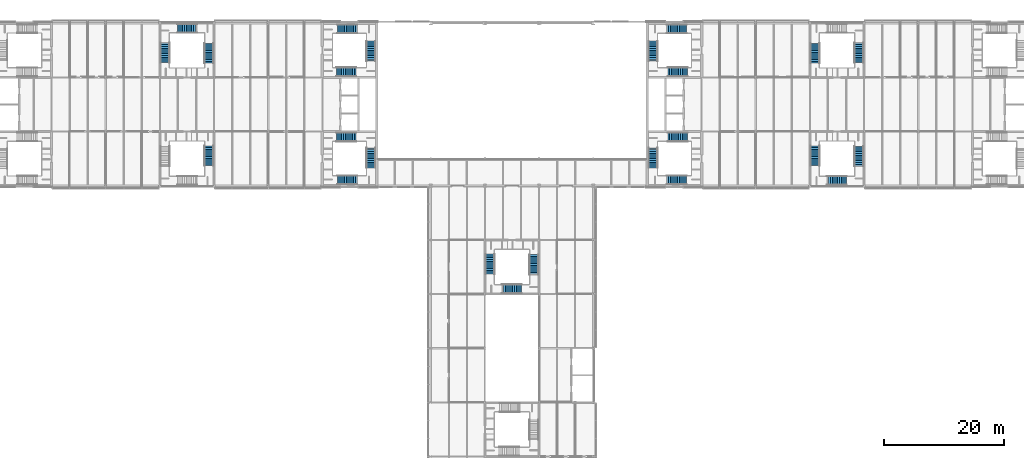
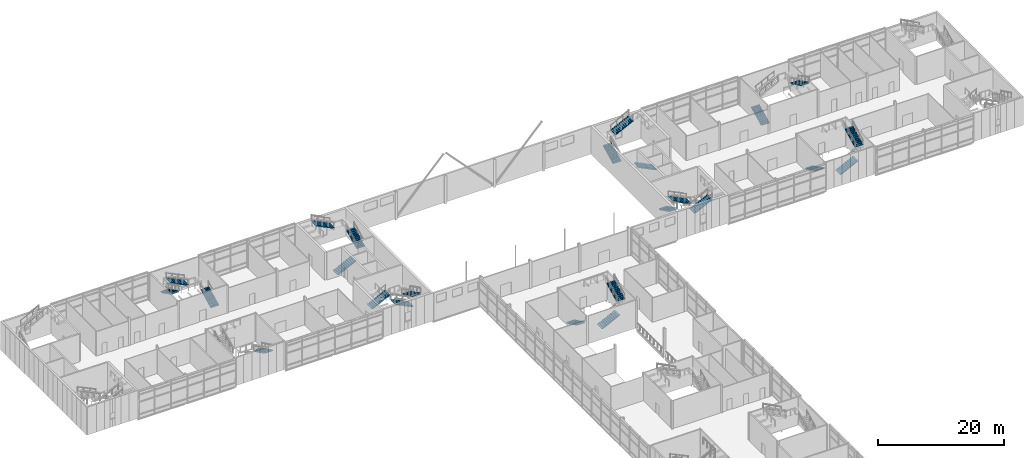
# One storey, part 45 of 56: 24 stair flights, 9 elements without a shape of their own.
"""IFC4 building model written with IfcOpenShell, lengths in metres."""

import ifcopenshell
import ifcopenshell.guid

model = None  # the IFC model being written
_history = None  # IfcOwnerHistory: only IFC2X3 demands one
_inside = {}  # id of a spatial element -> (the spatial element, [elements in it])
_under = {}  # id of a project, library or spatial element -> (it, [spatial elements below it])
_declared = {}  # id of a project -> (the project, [libraries it declares])
_typed = {}  # id of a type object -> (the type object, [elements of that type])
_made_of = {}  # id of a material, layer set ... -> (it, [elements and type objects made of it])


def new_model(schema):
    """Start an empty IFC model of exactly this schema.

    Asked for "IFC4X3", IfcOpenShell would pick the latest addendum, in which some entities
    have other attributes; the version numbers below select the first issue.
    IFC2X3 requires an IfcOwnerHistory on every rooted entity: one is made here for all.
    """
    global model, _history
    if schema == "IFC4X3":
        model = ifcopenshell.file(schema_version=(4, 3, 0, 0))
    else:
        model = ifcopenshell.file(schema=schema)
    _inside.clear()
    _under.clear()
    _declared.clear()
    _typed.clear()
    _made_of.clear()
    _history = None
    if model.schema == "IFC2X3":
        org = make("IfcOrganization", Name="unknown")
        user = make(
            "IfcPersonAndOrganization",
            ThePerson=make("IfcPerson", FamilyName="unknown"),
            TheOrganization=org,
        )
        app = make(
            "IfcApplication",
            ApplicationDeveloper=org,
            Version="unknown",
            ApplicationFullName="unknown",
            ApplicationIdentifier="unknown",
        )
        _history = make(
            "IfcOwnerHistory",
            OwningUser=user,
            OwningApplication=app,
            ChangeAction="ADDED",
            CreationDate=0,
        )
    return model


def make(cls, **values):
    """One entity of the class cls with the attributes given. An attribute that is None is left unset."""
    return model.create_entity(
        cls, **{name: value for name, value in values.items() if value is not None}
    )


def rooted(cls, **values):
    """An entity with a GlobalId (a new one), such as an element, a storey or a relation."""
    return make(cls, GlobalId=ifcopenshell.guid.new(), OwnerHistory=_history, **values)


def si_unit(unit_type, name, prefix=None):
    """IfcSIUnit, for example si_unit("LENGTHUNIT", "METRE", prefix="MILLI")."""
    return make("IfcSIUnit", UnitType=unit_type, Prefix=prefix, Name=name)


def assignment(units):
    """IfcUnitAssignment: the units of a project."""
    return None if units is None else make("IfcUnitAssignment", Units=units)


def point(xyz):
    """IfcCartesianPoint."""
    return None if xyz is None else make("IfcCartesianPoint", Coordinates=xyz)


def direction(xyz):
    """IfcDirection."""
    return None if xyz is None else make("IfcDirection", DirectionRatios=xyz)


def frame(location, z_axis=None, x_axis=None):
    """IfcAxis2Placement3D, a coordinate frame: its origin and axes. An axis left out is left unset."""
    return make(
        "IfcAxis2Placement3D",
        Location=point(location),
        Axis=direction(z_axis),
        RefDirection=direction(x_axis),
    )


def origin():
    """The frame at (0, 0, 0) with its axes left unset."""
    return frame((0.0, 0.0, 0.0))


def place(relative_to, where):
    """IfcLocalPlacement: puts the frame where relative to a parent placement (None: the world)."""
    return make(
        "IfcLocalPlacement", PlacementRelTo=relative_to, RelativePlacement=where
    )


def context(
    kind, dimensions, precision=None, world=None, true_north=None, identifier=None
):
    """IfcGeometricRepresentationContext, for example the 3D "Model" context."""
    return make(
        "IfcGeometricRepresentationContext",
        ContextIdentifier=identifier,
        ContextType=kind,
        CoordinateSpaceDimension=dimensions,
        Precision=precision,
        WorldCoordinateSystem=world,
        TrueNorth=true_north,
    )


def subcontext(parent, identifier, kind, view, scale=None):
    """IfcGeometricRepresentationSubContext, for example "Body" below "Model"."""
    return make(
        "IfcGeometricRepresentationSubContext",
        ContextIdentifier=identifier,
        ContextType=kind,
        ParentContext=parent,
        TargetScale=scale,
        TargetView=view,
    )


def project(units=None, contexts=None):
    """IfcProject with its units and contexts."""
    return rooted(
        "IfcProject",
        Name="project",
        RepresentationContexts=contexts,
        UnitsInContext=assignment(units),
    )


def spatial(cls, under=None, at=None, **own):
    """A site, building, storey or space (cls), placed at a placement, below another one or the project."""
    s = rooted(cls, ObjectPlacement=at, **own)
    if under is not None:
        _under.setdefault(under.id(), (under, []))[1].append(s)
    return s


def polyline(points):
    """IfcPolyline through the points."""
    return make("IfcPolyline", Points=[point(p) for p in points])


def outline(outer, holes=None, kind="AREA"):
    """IfcArbitraryClosedProfileDef: a profile drawn as a closed curve; with holes, ...WithVoids."""
    if holes is None:
        return make("IfcArbitraryClosedProfileDef", ProfileType=kind, OuterCurve=outer)
    return make(
        "IfcArbitraryProfileDefWithVoids",
        ProfileType=kind,
        OuterCurve=outer,
        InnerCurves=holes,
    )


def extrude(swept, where, along, depth):
    """IfcExtrudedAreaSolid: the profile swept, set in the frame where, extruded along a direction by depth."""
    return make(
        "IfcExtrudedAreaSolid",
        SweptArea=swept,
        Position=where,
        ExtrudedDirection=direction(along),
        Depth=depth,
    )


def shape(context_of_items, identifier, shape_type, items):
    """IfcShapeRepresentation: the items that make up one representation, for example the "Body"."""
    return make(
        "IfcShapeRepresentation",
        ContextOfItems=context_of_items,
        RepresentationIdentifier=identifier,
        RepresentationType=shape_type,
        Items=items,
    )


def material(Name=None, Category=None):
    """IfcMaterial."""
    return make("IfcMaterial", Name=Name, Category=Category)


def made_of(thing, what):
    """Note that an element or type object is made of a material, layer set ...; save() writes the relation."""
    if what is not None:
        _made_of.setdefault(what.id(), (what, []))[1].append(thing)
    return thing


def type_object(cls, material=None, **own):
    """A type object (cls), such as IfcWallType, which elements share."""
    return made_of(rooted(cls, **own), material)


def element(
    cls,
    number,
    at=None,
    inside=None,
    cuts=None,
    type_object=None,
    material=None,
    context=None,
    identifier="Body",
    shape_type=None,
    held_by="IfcProductDefinitionShape",
    body=None,
    shapes=None,
    **own,
):
    """One element of the class cls, such as IfcWall. Its Tag is "e" and its number.

    at: its placement. inside: the storey or other place that contains it. cuts: it is an
    opening in that element (IfcRelVoidsElement). A single representation is given by context,
    identifier, shape_type and body (its items); several are given by shapes. held_by: the class
    of the entity that holds the representations. save() writes the other relations.
    """
    e = rooted(cls, Tag="e%d" % number, ObjectPlacement=at, **own)
    if body is not None:
        shapes = [shape(context, identifier, shape_type, body)]
    if shapes is not None:
        e.Representation = make(held_by, Representations=shapes)
    if inside is not None:
        _inside.setdefault(inside.id(), (inside, []))[1].append(e)
    if cuts is not None:
        rooted(
            "IfcRelVoidsElement", RelatingBuildingElement=cuts, RelatedOpeningElement=e
        )
    if type_object is not None:
        _typed.setdefault(type_object.id(), (type_object, []))[1].append(e)
    return made_of(e, material)


def aggregate(whole, parts):
    """IfcRelAggregates: a whole, such as a stair, and the parts it consists of."""
    return rooted("IfcRelAggregates", RelatingObject=whole, RelatedObjects=parts)


def save(model, path):
    """Write the relations noted so far, then the file.

    IfcRelAggregates (storeys below a building ...), IfcRelContainedInSpatialStructure (elements
    in a storey), IfcRelDefinesByType, IfcRelAssociatesMaterial and IfcRelDeclares: one each for
    every whole, place, type object, material and project.
    """
    for whole, parts in _under.values():
        aggregate(whole, parts)
    for where, things in _inside.values():
        rooted(
            "IfcRelContainedInSpatialStructure",
            RelatedElements=things,
            RelatingStructure=where,
        )
    for kind, things in _typed.values():
        rooted("IfcRelDefinesByType", RelatedObjects=things, RelatingType=kind)
    for what, things in _made_of.values():
        rooted("IfcRelAssociatesMaterial", RelatedObjects=things, RelatingMaterial=what)
    for by, libraries in _declared.values():
        rooted("IfcRelDeclares", RelatingContext=by, RelatedDefinitions=libraries)
    model.write(path)


model = new_model("IFC4")

# Units and contexts
model_context = context("Model", 3, precision=1e-05, world=origin(), true_north=direction((0.0, 1.0)))
body_context = subcontext(model_context, "Body", "Model", "MODEL_VIEW")
ifc_project = project(units=[si_unit("LENGTHUNIT", "METRE"), si_unit("AREAUNIT", "SQUARE_METRE"), si_unit("VOLUMEUNIT", "CUBIC_METRE"), si_unit("PLANEANGLEUNIT", "RADIAN"), si_unit("MASSUNIT", "GRAM", prefix="KILO")], contexts=[model_context])

# Site, building, storey
site_placement = place(None, origin())
site = spatial("IfcSite", under=ifc_project, at=site_placement, CompositionType="ELEMENT")
building_placement = place(site_placement, origin())
building = spatial("IfcBuilding", under=site, at=building_placement, Name="Azimuth Sports and Learning Centre", CompositionType="ELEMENT")
storey_placement = place(building_placement, frame((0.0, 0.0, 5.39990234375)))
storey = spatial("IfcBuildingStorey", under=building, at=storey_placement, Name="L01", CompositionType="ELEMENT", Elevation=5.39990234375)

# Stair, stair flights
ifc_material_1 = material(Name="Concrete C32/40", Category="concrete")
stair_type_1 = type_object("IfcStairType", Name="Square-well stair core 5400 storey", PredefinedType="THREE_QUARTER_TURN_STAIR", material=ifc_material_1)
stair_1_placement = place(storey_placement, origin())
stair_1 = element("IfcStair", 1, at=stair_1_placement, inside=storey, type_object=stair_type_1, Name="Stair W1 L01-L02", PredefinedType="THREE_QUARTER_TURN_STAIR")
ifc_material_2 = material(Name="Concrete C32/40", Category="concrete")
stair_flight_type = type_object("IfcStairFlightType", Name="Stair flight 12 risers", PredefinedType="STRAIGHT", material=ifc_material_2)
stair_flight_1_placement = place(storey_placement, frame((56.31005859375, 98.090087890625, 0.0), z_axis=(0.0, 0.0, 1.0), x_axis=(1.0, 0.0, 0.0)))
stair_flight_1 = element("IfcStairFlight", 2, at=stair_flight_1_placement, type_object=stair_flight_type, Name="Stair W1 L01 flight 1", NumberOfRisers=12, NumberOfTreads=11, PredefinedType="STRAIGHT", RiserHeight=0.15, TreadLength=0.3, context=body_context, shape_type="SweptSolid", body=[
    extrude(outline(polyline([(0.0, 0.0), (0.0, 0.14990234375), (0.300048828125, 0.14990234375), (0.300048828125, 0.300048828125), (0.60009765625, 0.300048828125), (0.60009765625, 0.449951171875), (0.89990234375, 0.449951171875), (0.89990234375, 0.60009765625), (1.199951171875, 0.60009765625), (1.199951171875, 0.75), (1.5, 0.75), (1.5, 0.89990234375), (1.800048828125, 0.89990234375), (1.800048828125, 1.050048828125), (2.10009765625, 1.050048828125), (2.10009765625, 1.199951171875), (2.39990234375, 1.199951171875), (2.39990234375, 1.35009765625), (2.699951171875, 1.35009765625), (2.699951171875, 1.5), (3.0, 1.5), (3.0, 1.64990234375), (3.300048828125, 1.64990234375), (3.300048828125, 1.800048828125), (3.300048828125, 1.482421875), (0.335205078125, 0.0), (0.0, 0.0)])), frame((0.0, 0.75, 0.0), z_axis=(0.0, -1.0, 0.0), x_axis=(1.0, 0.0, 0.0)), (0.0, 0.0, 1.0), 1.5),
])
stair_flight_2_placement = place(storey_placement, frame((62.0400390625, 96.2900390625, 1.800048828125), z_axis=(0.0, 0.0, 1.0), x_axis=(0.0, -1.0, 0.0)))
stair_flight_2 = element("IfcStairFlight", 3, at=stair_flight_2_placement, type_object=stair_flight_type, Name="Stair W1 L01 flight 2", NumberOfRisers=12, NumberOfTreads=11, PredefinedType="STRAIGHT", RiserHeight=0.15, TreadLength=0.3, context=body_context, shape_type="SweptSolid", body=[
    extrude(outline(polyline([(0.0, 0.0), (0.0, 0.14990234375), (0.300048828125, 0.14990234375), (0.300048828125, 0.300048828125), (0.60009765625, 0.300048828125), (0.60009765625, 0.449951171875), (0.89990234375, 0.449951171875), (0.89990234375, 0.60009765625), (1.199951171875, 0.60009765625), (1.199951171875, 0.75), (1.5, 0.75), (1.5, 0.89990234375), (1.800048828125, 0.89990234375), (1.800048828125, 1.050048828125), (2.10009765625, 1.050048828125), (2.10009765625, 1.199951171875), (2.39990234375, 1.199951171875), (2.39990234375, 1.35009765625), (2.699951171875, 1.35009765625), (2.699951171875, 1.5), (3.0, 1.5), (3.0, 1.64990234375), (3.300048828125, 1.64990234375), (3.300048828125, 1.800048828125), (3.300048828125, 1.482421875), (0.335205078125, 0.0), (0.0, 0.0)])), frame((0.0, 0.75, 0.0), z_axis=(0.0, -1.0, 0.0), x_axis=(1.0, 0.0, 0.0)), (0.0, 0.0, 1.0), 1.5),
])
stair_flight_3_placement = place(storey_placement, frame((59.7900390625, 90.9599609375, 3.60009765625), z_axis=(0.0, 0.0, 1.0), x_axis=(-1.0, 0.0, 0.0)))
stair_flight_3 = element("IfcStairFlight", 4, at=stair_flight_3_placement, type_object=stair_flight_type, Name="Stair W1 L01 flight 3", NumberOfRisers=12, NumberOfTreads=11, PredefinedType="STRAIGHT", RiserHeight=0.15, TreadLength=0.3, context=body_context, shape_type="SweptSolid", body=[
    extrude(outline(polyline([(0.0, 0.0), (0.0, 0.14990234375), (0.300048828125, 0.14990234375), (0.300048828125, 0.300048828125), (0.60009765625, 0.300048828125), (0.60009765625, 0.449951171875), (0.89990234375, 0.449951171875), (0.89990234375, 0.60009765625), (1.199951171875, 0.60009765625), (1.199951171875, 0.75), (1.5, 0.75), (1.5, 0.89990234375), (1.800048828125, 0.89990234375), (1.800048828125, 1.050048828125), (2.10009765625, 1.050048828125), (2.10009765625, 1.199951171875), (2.39990234375, 1.199951171875), (2.39990234375, 1.35009765625), (2.699951171875, 1.35009765625), (2.699951171875, 1.5), (3.0, 1.5), (3.0, 1.64990234375), (3.300048828125, 1.64990234375), (3.300048828125, 1.800048828125), (3.300048828125, 1.482421875), (0.335205078125, 0.0), (0.0, 0.0)])), frame((0.0, 0.75, 0.0), z_axis=(0.0, -1.0, 0.0), x_axis=(1.0, 0.0, 0.0)), (0.0, 0.0, 1.0), 1.5),
])
aggregate(stair_1, [stair_flight_1, stair_flight_2, stair_flight_3])

stair_2_placement = place(storey_placement, origin())
stair_2 = element("IfcStair", 5, at=stair_2_placement, inside=storey, type_object=stair_type_1, Name="Stair W2 L01-L02", PredefinedType="THREE_QUARTER_TURN_STAIR")
stair_flight_4_placement = place(storey_placement, frame((56.31005859375, 108.909912109375, 0.0), z_axis=(0.0, 0.0, 1.0), x_axis=(1.0, 0.0, 0.0)))
stair_flight_4 = element("IfcStairFlight", 6, at=stair_flight_4_placement, type_object=stair_flight_type, Name="Stair W2 L01 flight 1", NumberOfRisers=12, NumberOfTreads=11, PredefinedType="STRAIGHT", RiserHeight=0.15, TreadLength=0.3, context=body_context, shape_type="SweptSolid", body=[
    extrude(outline(polyline([(0.0, 0.0), (0.0, 0.14990234375), (0.300048828125, 0.14990234375), (0.300048828125, 0.300048828125), (0.60009765625, 0.300048828125), (0.60009765625, 0.449951171875), (0.89990234375, 0.449951171875), (0.89990234375, 0.60009765625), (1.199951171875, 0.60009765625), (1.199951171875, 0.75), (1.5, 0.75), (1.5, 0.89990234375), (1.800048828125, 0.89990234375), (1.800048828125, 1.050048828125), (2.10009765625, 1.050048828125), (2.10009765625, 1.199951171875), (2.39990234375, 1.199951171875), (2.39990234375, 1.35009765625), (2.699951171875, 1.35009765625), (2.699951171875, 1.5), (3.0, 1.5), (3.0, 1.64990234375), (3.300048828125, 1.64990234375), (3.300048828125, 1.800048828125), (3.300048828125, 1.482421875), (0.335205078125, 0.0), (0.0, 0.0)])), frame((0.0, 0.75, 0.0), z_axis=(0.0, -1.0, 0.0), x_axis=(1.0, 0.0, 0.0)), (0.0, 0.0, 1.0), 1.5),
])
stair_flight_5_placement = place(storey_placement, frame((62.0400390625, 110.7099609375, 1.800048828125), z_axis=(0.0, 0.0, 1.0), x_axis=(0.0, 1.0, 0.0)))
stair_flight_5 = element("IfcStairFlight", 7, at=stair_flight_5_placement, type_object=stair_flight_type, Name="Stair W2 L01 flight 2", NumberOfRisers=12, NumberOfTreads=11, PredefinedType="STRAIGHT", RiserHeight=0.15, TreadLength=0.3, context=body_context, shape_type="SweptSolid", body=[
    extrude(outline(polyline([(0.0, 0.0), (0.0, 0.14990234375), (0.300048828125, 0.14990234375), (0.300048828125, 0.300048828125), (0.60009765625, 0.300048828125), (0.60009765625, 0.449951171875), (0.89990234375, 0.449951171875), (0.89990234375, 0.60009765625), (1.199951171875, 0.60009765625), (1.199951171875, 0.75), (1.5, 0.75), (1.5, 0.89990234375), (1.800048828125, 0.89990234375), (1.800048828125, 1.050048828125), (2.10009765625, 1.050048828125), (2.10009765625, 1.199951171875), (2.39990234375, 1.199951171875), (2.39990234375, 1.35009765625), (2.699951171875, 1.35009765625), (2.699951171875, 1.5), (3.0, 1.5), (3.0, 1.64990234375), (3.300048828125, 1.64990234375), (3.300048828125, 1.800048828125), (3.300048828125, 1.482421875), (0.335205078125, 0.0), (0.0, 0.0)])), frame((0.0, 0.75, 0.0), z_axis=(0.0, -1.0, 0.0), x_axis=(1.0, 0.0, 0.0)), (0.0, 0.0, 1.0), 1.5),
])
stair_flight_6_placement = place(storey_placement, frame((59.7900390625, 116.0400390625, 3.60009765625), z_axis=(0.0, 0.0, 1.0), x_axis=(-1.0, 0.0, 0.0)))
stair_flight_6 = element("IfcStairFlight", 8, at=stair_flight_6_placement, type_object=stair_flight_type, Name="Stair W2 L01 flight 3", NumberOfRisers=12, NumberOfTreads=11, PredefinedType="STRAIGHT", RiserHeight=0.15, TreadLength=0.3, context=body_context, shape_type="SweptSolid", body=[
    extrude(outline(polyline([(0.0, 0.0), (0.0, 0.14990234375), (0.300048828125, 0.14990234375), (0.300048828125, 0.300048828125), (0.60009765625, 0.300048828125), (0.60009765625, 0.449951171875), (0.89990234375, 0.449951171875), (0.89990234375, 0.60009765625), (1.199951171875, 0.60009765625), (1.199951171875, 0.75), (1.5, 0.75), (1.5, 0.89990234375), (1.800048828125, 0.89990234375), (1.800048828125, 1.050048828125), (2.10009765625, 1.050048828125), (2.10009765625, 1.199951171875), (2.39990234375, 1.199951171875), (2.39990234375, 1.35009765625), (2.699951171875, 1.35009765625), (2.699951171875, 1.5), (3.0, 1.5), (3.0, 1.64990234375), (3.300048828125, 1.64990234375), (3.300048828125, 1.800048828125), (3.300048828125, 1.482421875), (0.335205078125, 0.0), (0.0, 0.0)])), frame((0.0, 0.75, 0.0), z_axis=(0.0, -1.0, 0.0), x_axis=(1.0, 0.0, 0.0)), (0.0, 0.0, 1.0), 1.5),
])
aggregate(stair_2, [stair_flight_4, stair_flight_5, stair_flight_6])

stair_3_placement = place(storey_placement, origin())
stair_3 = element("IfcStair", 9, at=stair_3_placement, inside=storey, type_object=stair_type_1, Name="Stair E1 L01-L02", PredefinedType="THREE_QUARTER_TURN_STAIR")
stair_flight_7_placement = place(storey_placement, frame((114.68994140625, 98.090087890625, 0.0), z_axis=(0.0, 0.0, 1.0), x_axis=(-1.0, 0.0, 0.0)))
stair_flight_7 = element("IfcStairFlight", 10, at=stair_flight_7_placement, type_object=stair_flight_type, Name="Stair E1 L01 flight 1", NumberOfRisers=12, NumberOfTreads=11, PredefinedType="STRAIGHT", RiserHeight=0.15, TreadLength=0.3, context=body_context, shape_type="SweptSolid", body=[
    extrude(outline(polyline([(0.0, 0.0), (0.0, 0.14990234375), (0.300048828125, 0.14990234375), (0.300048828125, 0.300048828125), (0.60009765625, 0.300048828125), (0.60009765625, 0.449951171875), (0.89990234375, 0.449951171875), (0.89990234375, 0.60009765625), (1.199951171875, 0.60009765625), (1.199951171875, 0.75), (1.5, 0.75), (1.5, 0.89990234375), (1.800048828125, 0.89990234375), (1.800048828125, 1.050048828125), (2.10009765625, 1.050048828125), (2.10009765625, 1.199951171875), (2.39990234375, 1.199951171875), (2.39990234375, 1.35009765625), (2.699951171875, 1.35009765625), (2.699951171875, 1.5), (3.0, 1.5), (3.0, 1.64990234375), (3.300048828125, 1.64990234375), (3.300048828125, 1.800048828125), (3.300048828125, 1.482421875), (0.335205078125, 0.0), (0.0, 0.0)])), frame((0.0, 0.75, 0.0), z_axis=(0.0, -1.0, 0.0), x_axis=(1.0, 0.0, 0.0)), (0.0, 0.0, 1.0), 1.5),
])
stair_flight_8_placement = place(storey_placement, frame((108.9599609375, 96.2900390625, 1.800048828125), z_axis=(0.0, 0.0, 1.0), x_axis=(0.0, -1.0, 0.0)))
stair_flight_8 = element("IfcStairFlight", 11, at=stair_flight_8_placement, type_object=stair_flight_type, Name="Stair E1 L01 flight 2", NumberOfRisers=12, NumberOfTreads=11, PredefinedType="STRAIGHT", RiserHeight=0.15, TreadLength=0.3, context=body_context, shape_type="SweptSolid", body=[
    extrude(outline(polyline([(0.0, 0.0), (0.0, 0.14990234375), (0.300048828125, 0.14990234375), (0.300048828125, 0.300048828125), (0.60009765625, 0.300048828125), (0.60009765625, 0.449951171875), (0.89990234375, 0.449951171875), (0.89990234375, 0.60009765625), (1.199951171875, 0.60009765625), (1.199951171875, 0.75), (1.5, 0.75), (1.5, 0.89990234375), (1.800048828125, 0.89990234375), (1.800048828125, 1.050048828125), (2.10009765625, 1.050048828125), (2.10009765625, 1.199951171875), (2.39990234375, 1.199951171875), (2.39990234375, 1.35009765625), (2.699951171875, 1.35009765625), (2.699951171875, 1.5), (3.0, 1.5), (3.0, 1.64990234375), (3.300048828125, 1.64990234375), (3.300048828125, 1.800048828125), (3.300048828125, 1.482421875), (0.335205078125, 0.0), (0.0, 0.0)])), frame((0.0, 0.75, 0.0), z_axis=(0.0, -1.0, 0.0), x_axis=(1.0, 0.0, 0.0)), (0.0, 0.0, 1.0), 1.5),
])
stair_flight_9_placement = place(storey_placement, frame((111.2099609375, 90.9599609375, 3.60009765625), z_axis=(0.0, 0.0, 1.0), x_axis=(1.0, 0.0, 0.0)))
stair_flight_9 = element("IfcStairFlight", 12, at=stair_flight_9_placement, type_object=stair_flight_type, Name="Stair E1 L01 flight 3", NumberOfRisers=12, NumberOfTreads=11, PredefinedType="STRAIGHT", RiserHeight=0.15, TreadLength=0.3, context=body_context, shape_type="SweptSolid", body=[
    extrude(outline(polyline([(0.0, 0.0), (0.0, 0.14990234375), (0.300048828125, 0.14990234375), (0.300048828125, 0.300048828125), (0.60009765625, 0.300048828125), (0.60009765625, 0.449951171875), (0.89990234375, 0.449951171875), (0.89990234375, 0.60009765625), (1.199951171875, 0.60009765625), (1.199951171875, 0.75), (1.5, 0.75), (1.5, 0.89990234375), (1.800048828125, 0.89990234375), (1.800048828125, 1.050048828125), (2.10009765625, 1.050048828125), (2.10009765625, 1.199951171875), (2.39990234375, 1.199951171875), (2.39990234375, 1.35009765625), (2.699951171875, 1.35009765625), (2.699951171875, 1.5), (3.0, 1.5), (3.0, 1.64990234375), (3.300048828125, 1.64990234375), (3.300048828125, 1.800048828125), (3.300048828125, 1.482421875), (0.335205078125, 0.0), (0.0, 0.0)])), frame((0.0, 0.75, 0.0), z_axis=(0.0, -1.0, 0.0), x_axis=(1.0, 0.0, 0.0)), (0.0, 0.0, 1.0), 1.5),
])
aggregate(stair_3, [stair_flight_7, stair_flight_8, stair_flight_9])

stair_4_placement = place(storey_placement, origin())
stair_4 = element("IfcStair", 13, at=stair_4_placement, inside=storey, type_object=stair_type_1, Name="Stair E2 L01-L02", PredefinedType="THREE_QUARTER_TURN_STAIR")
stair_flight_10_placement = place(storey_placement, frame((114.68994140625, 108.909912109375, 0.0), z_axis=(0.0, 0.0, 1.0), x_axis=(-1.0, 0.0, 0.0)))
stair_flight_10 = element("IfcStairFlight", 14, at=stair_flight_10_placement, type_object=stair_flight_type, Name="Stair E2 L01 flight 1", NumberOfRisers=12, NumberOfTreads=11, PredefinedType="STRAIGHT", RiserHeight=0.15, TreadLength=0.3, context=body_context, shape_type="SweptSolid", body=[
    extrude(outline(polyline([(0.0, 0.0), (0.0, 0.14990234375), (0.300048828125, 0.14990234375), (0.300048828125, 0.300048828125), (0.60009765625, 0.300048828125), (0.60009765625, 0.449951171875), (0.89990234375, 0.449951171875), (0.89990234375, 0.60009765625), (1.199951171875, 0.60009765625), (1.199951171875, 0.75), (1.5, 0.75), (1.5, 0.89990234375), (1.800048828125, 0.89990234375), (1.800048828125, 1.050048828125), (2.10009765625, 1.050048828125), (2.10009765625, 1.199951171875), (2.39990234375, 1.199951171875), (2.39990234375, 1.35009765625), (2.699951171875, 1.35009765625), (2.699951171875, 1.5), (3.0, 1.5), (3.0, 1.64990234375), (3.300048828125, 1.64990234375), (3.300048828125, 1.800048828125), (3.300048828125, 1.482421875), (0.335205078125, 0.0), (0.0, 0.0)])), frame((0.0, 0.75, 0.0), z_axis=(0.0, -1.0, 0.0), x_axis=(1.0, 0.0, 0.0)), (0.0, 0.0, 1.0), 1.5),
])
stair_flight_11_placement = place(storey_placement, frame((108.9599609375, 110.7099609375, 1.800048828125), z_axis=(0.0, 0.0, 1.0), x_axis=(0.0, 1.0, 0.0)))
stair_flight_11 = element("IfcStairFlight", 15, at=stair_flight_11_placement, type_object=stair_flight_type, Name="Stair E2 L01 flight 2", NumberOfRisers=12, NumberOfTreads=11, PredefinedType="STRAIGHT", RiserHeight=0.15, TreadLength=0.3, context=body_context, shape_type="SweptSolid", body=[
    extrude(outline(polyline([(0.0, 0.0), (0.0, 0.14990234375), (0.300048828125, 0.14990234375), (0.300048828125, 0.300048828125), (0.60009765625, 0.300048828125), (0.60009765625, 0.449951171875), (0.89990234375, 0.449951171875), (0.89990234375, 0.60009765625), (1.199951171875, 0.60009765625), (1.199951171875, 0.75), (1.5, 0.75), (1.5, 0.89990234375), (1.800048828125, 0.89990234375), (1.800048828125, 1.050048828125), (2.10009765625, 1.050048828125), (2.10009765625, 1.199951171875), (2.39990234375, 1.199951171875), (2.39990234375, 1.35009765625), (2.699951171875, 1.35009765625), (2.699951171875, 1.5), (3.0, 1.5), (3.0, 1.64990234375), (3.300048828125, 1.64990234375), (3.300048828125, 1.800048828125), (3.300048828125, 1.482421875), (0.335205078125, 0.0), (0.0, 0.0)])), frame((0.0, 0.75, 0.0), z_axis=(0.0, -1.0, 0.0), x_axis=(1.0, 0.0, 0.0)), (0.0, 0.0, 1.0), 1.5),
])
stair_flight_12_placement = place(storey_placement, frame((111.2099609375, 116.0400390625, 3.60009765625), z_axis=(0.0, 0.0, 1.0), x_axis=(1.0, 0.0, 0.0)))
stair_flight_12 = element("IfcStairFlight", 16, at=stair_flight_12_placement, type_object=stair_flight_type, Name="Stair E2 L01 flight 3", NumberOfRisers=12, NumberOfTreads=11, PredefinedType="STRAIGHT", RiserHeight=0.15, TreadLength=0.3, context=body_context, shape_type="SweptSolid", body=[
    extrude(outline(polyline([(0.0, 0.0), (0.0, 0.14990234375), (0.300048828125, 0.14990234375), (0.300048828125, 0.300048828125), (0.60009765625, 0.300048828125), (0.60009765625, 0.449951171875), (0.89990234375, 0.449951171875), (0.89990234375, 0.60009765625), (1.199951171875, 0.60009765625), (1.199951171875, 0.75), (1.5, 0.75), (1.5, 0.89990234375), (1.800048828125, 0.89990234375), (1.800048828125, 1.050048828125), (2.10009765625, 1.050048828125), (2.10009765625, 1.199951171875), (2.39990234375, 1.199951171875), (2.39990234375, 1.35009765625), (2.699951171875, 1.35009765625), (2.699951171875, 1.5), (3.0, 1.5), (3.0, 1.64990234375), (3.300048828125, 1.64990234375), (3.300048828125, 1.800048828125), (3.300048828125, 1.482421875), (0.335205078125, 0.0), (0.0, 0.0)])), frame((0.0, 0.75, 0.0), z_axis=(0.0, -1.0, 0.0), x_axis=(1.0, 0.0, 0.0)), (0.0, 0.0, 1.0), 1.5),
])
aggregate(stair_4, [stair_flight_10, stair_flight_11, stair_flight_12])

# Stair, stair flight
ifc_material_3 = material(Name="Concrete C32/40", Category="concrete")
stair_type_2 = type_object("IfcStairType", Name="Square-well stair mid-wing cell 5400 storey", PredefinedType="THREE_QUARTER_TURN_STAIR", material=ifc_material_3)
stair_5_placement = place(storey_placement, origin())
stair_5 = element("IfcStair", 17, at=stair_5_placement, inside=storey, type_object=stair_type_2, Name="Stair WM1 L01-L02", PredefinedType="THREE_QUARTER_TURN_STAIR")
stair_flight_13_placement = place(storey_placement, frame((35.139892578125, 96.639892578125, 0.0), z_axis=(0.0, 0.0, 1.0), x_axis=(0.0, -1.0, 0.0)))
stair_flight_13 = element("IfcStairFlight", 18, at=stair_flight_13_placement, type_object=stair_flight_type, Name="Stair WM1 L01 flight 1", NumberOfRisers=12, NumberOfTreads=11, PredefinedType="STRAIGHT", RiserHeight=0.15, TreadLength=0.3, context=body_context, shape_type="SweptSolid", body=[
    extrude(outline(polyline([(0.0, 0.0), (0.0, 0.14990234375), (0.300048828125, 0.14990234375), (0.300048828125, 0.300048828125), (0.60009765625, 0.300048828125), (0.60009765625, 0.449951171875), (0.89990234375, 0.449951171875), (0.89990234375, 0.60009765625), (1.199951171875, 0.60009765625), (1.199951171875, 0.75), (1.5, 0.75), (1.5, 0.89990234375), (1.800048828125, 0.89990234375), (1.800048828125, 1.050048828125), (2.10009765625, 1.050048828125), (2.10009765625, 1.199951171875), (2.39990234375, 1.199951171875), (2.39990234375, 1.35009765625), (2.699951171875, 1.35009765625), (2.699951171875, 1.5), (3.0, 1.5), (3.0, 1.64990234375), (3.300048828125, 1.64990234375), (3.300048828125, 1.800048828125), (3.300048828125, 1.482421875), (0.335205078125, 0.0), (0.0, 0.0)])), frame((0.0, 0.75, 0.0), z_axis=(0.0, -1.0, 0.0), x_axis=(1.0, 0.0, 0.0)), (0.0, 0.0, 1.0), 1.5),
])
aggregate(stair_5, [stair_flight_13])

# Stair, stair flights
stair_6_placement = place(storey_placement, origin())
stair_6 = element("IfcStair", 19, at=stair_6_placement, inside=storey, type_object=stair_type_2, Name="Stair WM2 L01-L02", PredefinedType="THREE_QUARTER_TURN_STAIR")
stair_flight_14_placement = place(storey_placement, frame((35.139892578125, 110.360107421875, 0.0), z_axis=(0.0, 0.0, 1.0), x_axis=(0.0, 1.0, 0.0)))
stair_flight_14 = element("IfcStairFlight", 20, at=stair_flight_14_placement, type_object=stair_flight_type, Name="Stair WM2 L01 flight 1", NumberOfRisers=12, NumberOfTreads=11, PredefinedType="STRAIGHT", RiserHeight=0.15, TreadLength=0.3, context=body_context, shape_type="SweptSolid", body=[
    extrude(outline(polyline([(0.0, 0.0), (0.0, 0.14990234375), (0.300048828125, 0.14990234375), (0.300048828125, 0.300048828125), (0.60009765625, 0.300048828125), (0.60009765625, 0.449951171875), (0.89990234375, 0.449951171875), (0.89990234375, 0.60009765625), (1.199951171875, 0.60009765625), (1.199951171875, 0.75), (1.5, 0.75), (1.5, 0.89990234375), (1.800048828125, 0.89990234375), (1.800048828125, 1.050048828125), (2.10009765625, 1.050048828125), (2.10009765625, 1.199951171875), (2.39990234375, 1.199951171875), (2.39990234375, 1.35009765625), (2.699951171875, 1.35009765625), (2.699951171875, 1.5), (3.0, 1.5), (3.0, 1.64990234375), (3.300048828125, 1.64990234375), (3.300048828125, 1.800048828125), (3.300048828125, 1.482421875), (0.335205078125, 0.0), (0.0, 0.0)])), frame((0.0, 0.75, 0.0), z_axis=(0.0, -1.0, 0.0), x_axis=(1.0, 0.0, 0.0)), (0.0, 0.0, 1.0), 1.5),
])
stair_flight_15_placement = place(storey_placement, frame((33.18994140625, 116.139892578125, 1.800048828125), z_axis=(0.0, 0.0, 1.0), x_axis=(-1.0, 0.0, 0.0)))
stair_flight_15 = element("IfcStairFlight", 21, at=stair_flight_15_placement, type_object=stair_flight_type, Name="Stair WM2 L01 flight 2", NumberOfRisers=12, NumberOfTreads=11, PredefinedType="STRAIGHT", RiserHeight=0.15, TreadLength=0.3, context=body_context, shape_type="SweptSolid", body=[
    extrude(outline(polyline([(0.0, 0.0), (0.0, 0.14990234375), (0.300048828125, 0.14990234375), (0.300048828125, 0.300048828125), (0.60009765625, 0.300048828125), (0.60009765625, 0.449951171875), (0.89990234375, 0.449951171875), (0.89990234375, 0.60009765625), (1.199951171875, 0.60009765625), (1.199951171875, 0.75), (1.5, 0.75), (1.5, 0.89990234375), (1.800048828125, 0.89990234375), (1.800048828125, 1.050048828125), (2.10009765625, 1.050048828125), (2.10009765625, 1.199951171875), (2.39990234375, 1.199951171875), (2.39990234375, 1.35009765625), (2.699951171875, 1.35009765625), (2.699951171875, 1.5), (3.0, 1.5), (3.0, 1.64990234375), (3.300048828125, 1.64990234375), (3.300048828125, 1.800048828125), (3.300048828125, 1.482421875), (0.335205078125, 0.0), (0.0, 0.0)])), frame((0.0, 0.75, 0.0), z_axis=(0.0, -1.0, 0.0), x_axis=(1.0, 0.0, 0.0)), (0.0, 0.0, 1.0), 1.5),
])
stair_flight_16_placement = place(storey_placement, frame((27.860107421875, 113.739990234375, 3.60009765625), z_axis=(0.0, 0.0, 1.0), x_axis=(0.0, -1.0, 0.0)))
stair_flight_16 = element("IfcStairFlight", 22, at=stair_flight_16_placement, type_object=stair_flight_type, Name="Stair WM2 L01 flight 3", NumberOfRisers=12, NumberOfTreads=11, PredefinedType="STRAIGHT", RiserHeight=0.15, TreadLength=0.3, context=body_context, shape_type="SweptSolid", body=[
    extrude(outline(polyline([(0.0, 0.0), (0.0, 0.14990234375), (0.300048828125, 0.14990234375), (0.300048828125, 0.300048828125), (0.60009765625, 0.300048828125), (0.60009765625, 0.449951171875), (0.89990234375, 0.449951171875), (0.89990234375, 0.60009765625), (1.199951171875, 0.60009765625), (1.199951171875, 0.75), (1.5, 0.75), (1.5, 0.89990234375), (1.800048828125, 0.89990234375), (1.800048828125, 1.050048828125), (2.10009765625, 1.050048828125), (2.10009765625, 1.199951171875), (2.39990234375, 1.199951171875), (2.39990234375, 1.35009765625), (2.699951171875, 1.35009765625), (2.699951171875, 1.5), (3.0, 1.5), (3.0, 1.64990234375), (3.300048828125, 1.64990234375), (3.300048828125, 1.800048828125), (3.300048828125, 1.482421875), (0.335205078125, 0.0), (0.0, 0.0)])), frame((0.0, 0.75, 0.0), z_axis=(0.0, -1.0, 0.0), x_axis=(1.0, 0.0, 0.0)), (0.0, 0.0, 1.0), 1.5),
])
aggregate(stair_6, [stair_flight_14, stair_flight_15, stair_flight_16])

stair_7_placement = place(storey_placement, origin())
stair_7 = element("IfcStair", 23, at=stair_7_placement, inside=storey, type_object=stair_type_2, Name="Stair EM1 L01-L02", PredefinedType="THREE_QUARTER_TURN_STAIR")
stair_flight_17_placement = place(storey_placement, frame((135.860107421875, 96.639892578125, 0.0), z_axis=(0.0, 0.0, 1.0), x_axis=(0.0, -1.0, 0.0)))
stair_flight_17 = element("IfcStairFlight", 24, at=stair_flight_17_placement, type_object=stair_flight_type, Name="Stair EM1 L01 flight 1", NumberOfRisers=12, NumberOfTreads=11, PredefinedType="STRAIGHT", RiserHeight=0.15, TreadLength=0.3, context=body_context, shape_type="SweptSolid", body=[
    extrude(outline(polyline([(0.0, 0.0), (0.0, 0.14990234375), (0.300048828125, 0.14990234375), (0.300048828125, 0.300048828125), (0.60009765625, 0.300048828125), (0.60009765625, 0.449951171875), (0.89990234375, 0.449951171875), (0.89990234375, 0.60009765625), (1.199951171875, 0.60009765625), (1.199951171875, 0.75), (1.5, 0.75), (1.5, 0.89990234375), (1.800048828125, 0.89990234375), (1.800048828125, 1.050048828125), (2.10009765625, 1.050048828125), (2.10009765625, 1.199951171875), (2.39990234375, 1.199951171875), (2.39990234375, 1.35009765625), (2.699951171875, 1.35009765625), (2.699951171875, 1.5), (3.0, 1.5), (3.0, 1.64990234375), (3.300048828125, 1.64990234375), (3.300048828125, 1.800048828125), (3.300048828125, 1.482421875), (0.335205078125, 0.0), (0.0, 0.0)])), frame((0.0, 0.75, 0.0), z_axis=(0.0, -1.0, 0.0), x_axis=(1.0, 0.0, 0.0)), (0.0, 0.0, 1.0), 1.5),
])
stair_flight_18_placement = place(storey_placement, frame((137.81005859375, 90.860107421875, 1.800048828125), z_axis=(0.0, 0.0, 1.0), x_axis=(1.0, 0.0, 0.0)))
stair_flight_18 = element("IfcStairFlight", 25, at=stair_flight_18_placement, type_object=stair_flight_type, Name="Stair EM1 L01 flight 2", NumberOfRisers=12, NumberOfTreads=11, PredefinedType="STRAIGHT", RiserHeight=0.15, TreadLength=0.3, context=body_context, shape_type="SweptSolid", body=[
    extrude(outline(polyline([(0.0, 0.0), (0.0, 0.14990234375), (0.300048828125, 0.14990234375), (0.300048828125, 0.300048828125), (0.60009765625, 0.300048828125), (0.60009765625, 0.449951171875), (0.89990234375, 0.449951171875), (0.89990234375, 0.60009765625), (1.199951171875, 0.60009765625), (1.199951171875, 0.75), (1.5, 0.75), (1.5, 0.89990234375), (1.800048828125, 0.89990234375), (1.800048828125, 1.050048828125), (2.10009765625, 1.050048828125), (2.10009765625, 1.199951171875), (2.39990234375, 1.199951171875), (2.39990234375, 1.35009765625), (2.699951171875, 1.35009765625), (2.699951171875, 1.5), (3.0, 1.5), (3.0, 1.64990234375), (3.300048828125, 1.64990234375), (3.300048828125, 1.800048828125), (3.300048828125, 1.482421875), (0.335205078125, 0.0), (0.0, 0.0)])), frame((0.0, 0.75, 0.0), z_axis=(0.0, -1.0, 0.0), x_axis=(1.0, 0.0, 0.0)), (0.0, 0.0, 1.0), 1.5),
])
stair_flight_19_placement = place(storey_placement, frame((143.139892578125, 93.260009765625, 3.60009765625), z_axis=(0.0, 0.0, 1.0), x_axis=(0.0, 1.0, 0.0)))
stair_flight_19 = element("IfcStairFlight", 26, at=stair_flight_19_placement, type_object=stair_flight_type, Name="Stair EM1 L01 flight 3", NumberOfRisers=12, NumberOfTreads=11, PredefinedType="STRAIGHT", RiserHeight=0.15, TreadLength=0.3, context=body_context, shape_type="SweptSolid", body=[
    extrude(outline(polyline([(0.0, 0.0), (0.0, 0.14990234375), (0.300048828125, 0.14990234375), (0.300048828125, 0.300048828125), (0.60009765625, 0.300048828125), (0.60009765625, 0.449951171875), (0.89990234375, 0.449951171875), (0.89990234375, 0.60009765625), (1.199951171875, 0.60009765625), (1.199951171875, 0.75), (1.5, 0.75), (1.5, 0.89990234375), (1.800048828125, 0.89990234375), (1.800048828125, 1.050048828125), (2.10009765625, 1.050048828125), (2.10009765625, 1.199951171875), (2.39990234375, 1.199951171875), (2.39990234375, 1.35009765625), (2.699951171875, 1.35009765625), (2.699951171875, 1.5), (3.0, 1.5), (3.0, 1.64990234375), (3.300048828125, 1.64990234375), (3.300048828125, 1.800048828125), (3.300048828125, 1.482421875), (0.335205078125, 0.0), (0.0, 0.0)])), frame((0.0, 0.75, 0.0), z_axis=(0.0, -1.0, 0.0), x_axis=(1.0, 0.0, 0.0)), (0.0, 0.0, 1.0), 1.5),
])
aggregate(stair_7, [stair_flight_17, stair_flight_18, stair_flight_19])

stair_8_placement = place(storey_placement, origin())
stair_8 = element("IfcStair", 27, at=stair_8_placement, inside=storey, type_object=stair_type_2, Name="Stair EM2 L01-L02", PredefinedType="THREE_QUARTER_TURN_STAIR")
stair_flight_20_placement = place(storey_placement, frame((135.860107421875, 110.360107421875, 0.0), z_axis=(0.0, 0.0, 1.0), x_axis=(0.0, 1.0, 0.0)))
stair_flight_20 = element("IfcStairFlight", 28, at=stair_flight_20_placement, type_object=stair_flight_type, Name="Stair EM2 L01 flight 1", NumberOfRisers=12, NumberOfTreads=11, PredefinedType="STRAIGHT", RiserHeight=0.15, TreadLength=0.3, context=body_context, shape_type="SweptSolid", body=[
    extrude(outline(polyline([(0.0, 0.0), (0.0, 0.14990234375), (0.300048828125, 0.14990234375), (0.300048828125, 0.300048828125), (0.60009765625, 0.300048828125), (0.60009765625, 0.449951171875), (0.89990234375, 0.449951171875), (0.89990234375, 0.60009765625), (1.199951171875, 0.60009765625), (1.199951171875, 0.75), (1.5, 0.75), (1.5, 0.89990234375), (1.800048828125, 0.89990234375), (1.800048828125, 1.050048828125), (2.10009765625, 1.050048828125), (2.10009765625, 1.199951171875), (2.39990234375, 1.199951171875), (2.39990234375, 1.35009765625), (2.699951171875, 1.35009765625), (2.699951171875, 1.5), (3.0, 1.5), (3.0, 1.64990234375), (3.300048828125, 1.64990234375), (3.300048828125, 1.800048828125), (3.300048828125, 1.482421875), (0.335205078125, 0.0), (0.0, 0.0)])), frame((0.0, 0.75, 0.0), z_axis=(0.0, -1.0, 0.0), x_axis=(1.0, 0.0, 0.0)), (0.0, 0.0, 1.0), 1.5),
])
stair_flight_21_placement = place(storey_placement, frame((143.139892578125, 113.739990234375, 3.60009765625), z_axis=(0.0, 0.0, 1.0), x_axis=(0.0, -1.0, 0.0)))
stair_flight_21 = element("IfcStairFlight", 29, at=stair_flight_21_placement, type_object=stair_flight_type, Name="Stair EM2 L01 flight 3", NumberOfRisers=12, NumberOfTreads=11, PredefinedType="STRAIGHT", RiserHeight=0.15, TreadLength=0.3, context=body_context, shape_type="SweptSolid", body=[
    extrude(outline(polyline([(0.0, 0.0), (0.0, 0.14990234375), (0.300048828125, 0.14990234375), (0.300048828125, 0.300048828125), (0.60009765625, 0.300048828125), (0.60009765625, 0.449951171875), (0.89990234375, 0.449951171875), (0.89990234375, 0.60009765625), (1.199951171875, 0.60009765625), (1.199951171875, 0.75), (1.5, 0.75), (1.5, 0.89990234375), (1.800048828125, 0.89990234375), (1.800048828125, 1.050048828125), (2.10009765625, 1.050048828125), (2.10009765625, 1.199951171875), (2.39990234375, 1.199951171875), (2.39990234375, 1.35009765625), (2.699951171875, 1.35009765625), (2.699951171875, 1.5), (3.0, 1.5), (3.0, 1.64990234375), (3.300048828125, 1.64990234375), (3.300048828125, 1.800048828125), (3.300048828125, 1.482421875), (0.335205078125, 0.0), (0.0, 0.0)])), frame((0.0, 0.75, 0.0), z_axis=(0.0, -1.0, 0.0), x_axis=(1.0, 0.0, 0.0)), (0.0, 0.0, 1.0), 1.5),
])
aggregate(stair_8, [stair_flight_20, stair_flight_21])

ifc_material_4 = material(Name="Concrete C32/40", Category="concrete")
stair_type_3 = type_object("IfcStairType", Name="Square-well stair stem cell 5400 storey", PredefinedType="THREE_QUARTER_TURN_STAIR", material=ifc_material_4)
stair_9_placement = place(storey_placement, origin())
stair_9 = element("IfcStair", 30, at=stair_9_placement, inside=storey, type_object=stair_type_3, Name="Stair STD L01-L02", PredefinedType="THREE_QUARTER_TURN_STAIR")
stair_flight_22_placement = place(storey_placement, frame((81.860107421875, 78.639892578125, 0.0), z_axis=(0.0, 0.0, 1.0), x_axis=(0.0, -1.0, 0.0)))
stair_flight_22 = element("IfcStairFlight", 31, at=stair_flight_22_placement, type_object=stair_flight_type, Name="Stair STD L01 flight 1", NumberOfRisers=12, NumberOfTreads=11, PredefinedType="STRAIGHT", RiserHeight=0.15, TreadLength=0.3, context=body_context, shape_type="SweptSolid", body=[
    extrude(outline(polyline([(0.0, 0.0), (0.0, 0.14990234375), (0.300048828125, 0.14990234375), (0.300048828125, 0.300048828125), (0.60009765625, 0.300048828125), (0.60009765625, 0.449951171875), (0.89990234375, 0.449951171875), (0.89990234375, 0.60009765625), (1.199951171875, 0.60009765625), (1.199951171875, 0.75), (1.5, 0.75), (1.5, 0.89990234375), (1.800048828125, 0.89990234375), (1.800048828125, 1.050048828125), (2.10009765625, 1.050048828125), (2.10009765625, 1.199951171875), (2.39990234375, 1.199951171875), (2.39990234375, 1.35009765625), (2.699951171875, 1.35009765625), (2.699951171875, 1.5), (3.0, 1.5), (3.0, 1.64990234375), (3.300048828125, 1.64990234375), (3.300048828125, 1.800048828125), (3.300048828125, 1.482421875), (0.335205078125, 0.0), (0.0, 0.0)])), frame((0.0, 0.75, 0.0), z_axis=(0.0, -1.0, 0.0), x_axis=(1.0, 0.0, 0.0)), (0.0, 0.0, 1.0), 1.5),
])
stair_flight_23_placement = place(storey_placement, frame((83.81005859375, 72.860107421875, 1.800048828125), z_axis=(0.0, 0.0, 1.0), x_axis=(1.0, 0.0, 0.0)))
stair_flight_23 = element("IfcStairFlight", 32, at=stair_flight_23_placement, type_object=stair_flight_type, Name="Stair STD L01 flight 2", NumberOfRisers=12, NumberOfTreads=11, PredefinedType="STRAIGHT", RiserHeight=0.15, TreadLength=0.3, context=body_context, shape_type="SweptSolid", body=[
    extrude(outline(polyline([(0.0, 0.0), (0.0, 0.14990234375), (0.300048828125, 0.14990234375), (0.300048828125, 0.300048828125), (0.60009765625, 0.300048828125), (0.60009765625, 0.449951171875), (0.89990234375, 0.449951171875), (0.89990234375, 0.60009765625), (1.199951171875, 0.60009765625), (1.199951171875, 0.75), (1.5, 0.75), (1.5, 0.89990234375), (1.800048828125, 0.89990234375), (1.800048828125, 1.050048828125), (2.10009765625, 1.050048828125), (2.10009765625, 1.199951171875), (2.39990234375, 1.199951171875), (2.39990234375, 1.35009765625), (2.699951171875, 1.35009765625), (2.699951171875, 1.5), (3.0, 1.5), (3.0, 1.64990234375), (3.300048828125, 1.64990234375), (3.300048828125, 1.800048828125), (3.300048828125, 1.482421875), (0.335205078125, 0.0), (0.0, 0.0)])), frame((0.0, 0.75, 0.0), z_axis=(0.0, -1.0, 0.0), x_axis=(1.0, 0.0, 0.0)), (0.0, 0.0, 1.0), 1.5),
])
stair_flight_24_placement = place(storey_placement, frame((89.139892578125, 75.260009765625, 3.60009765625), z_axis=(0.0, 0.0, 1.0), x_axis=(0.0, 1.0, 0.0)))
stair_flight_24 = element("IfcStairFlight", 33, at=stair_flight_24_placement, type_object=stair_flight_type, Name="Stair STD L01 flight 3", NumberOfRisers=12, NumberOfTreads=11, PredefinedType="STRAIGHT", RiserHeight=0.15, TreadLength=0.3, context=body_context, shape_type="SweptSolid", body=[
    extrude(outline(polyline([(0.0, 0.0), (0.0, 0.14990234375), (0.300048828125, 0.14990234375), (0.300048828125, 0.300048828125), (0.60009765625, 0.300048828125), (0.60009765625, 0.449951171875), (0.89990234375, 0.449951171875), (0.89990234375, 0.60009765625), (1.199951171875, 0.60009765625), (1.199951171875, 0.75), (1.5, 0.75), (1.5, 0.89990234375), (1.800048828125, 0.89990234375), (1.800048828125, 1.050048828125), (2.10009765625, 1.050048828125), (2.10009765625, 1.199951171875), (2.39990234375, 1.199951171875), (2.39990234375, 1.35009765625), (2.699951171875, 1.35009765625), (2.699951171875, 1.5), (3.0, 1.5), (3.0, 1.64990234375), (3.300048828125, 1.64990234375), (3.300048828125, 1.800048828125), (3.300048828125, 1.482421875), (0.335205078125, 0.0), (0.0, 0.0)])), frame((0.0, 0.75, 0.0), z_axis=(0.0, -1.0, 0.0), x_axis=(1.0, 0.0, 0.0)), (0.0, 0.0, 1.0), 1.5),
])
aggregate(stair_9, [stair_flight_22, stair_flight_23, stair_flight_24])

save(model, "model.ifc")
